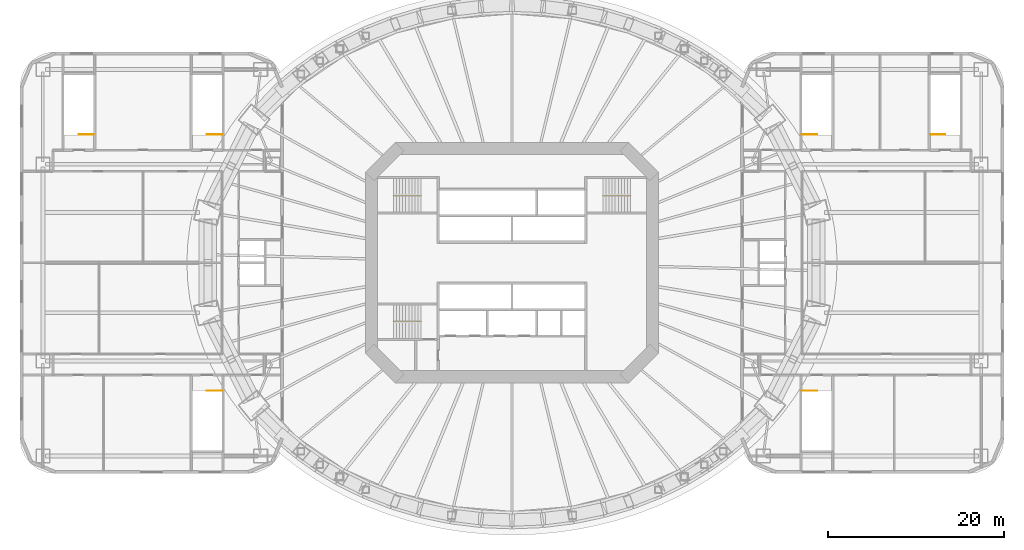
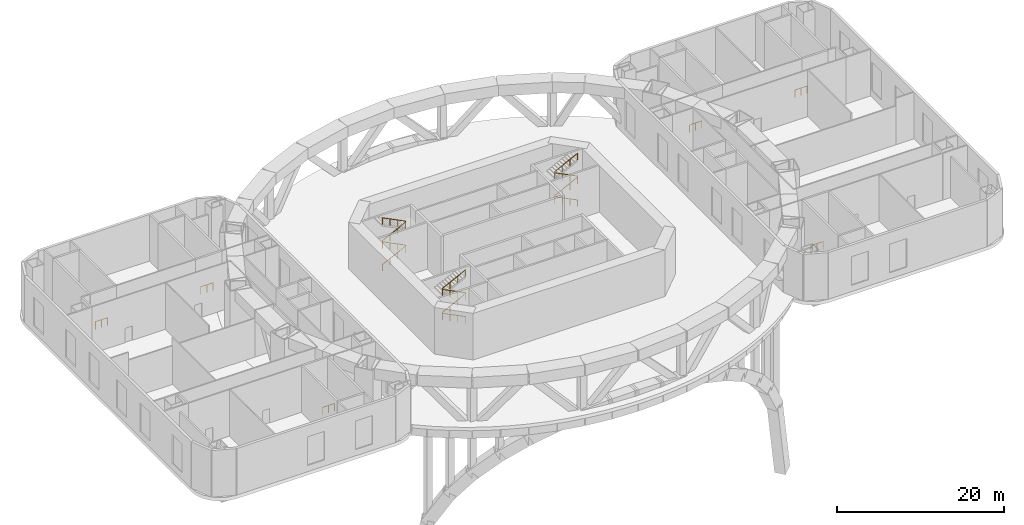
# One storey, part 13 of 13: 9 railings.
"""IFC4 building model written with IfcOpenShell, lengths in metres."""

from ifc_helpers import new_model, si_unit, direction, frame, origin, origin_2d, place, context, subcontext, project, spatial, circle, extrude, material, type_object, element, save


model = new_model("IFC4")

# Units and contexts
model_context = context("Model", 3, precision=1e-05, world=origin(), true_north=direction((0.0, 1.0)))
body_context = subcontext(model_context, "Body", "Model", "MODEL_VIEW")
ifc_project = project(units=[si_unit("LENGTHUNIT", "METRE"), si_unit("AREAUNIT", "SQUARE_METRE"), si_unit("VOLUMEUNIT", "CUBIC_METRE"), si_unit("PLANEANGLEUNIT", "RADIAN"), si_unit("MASSUNIT", "GRAM", prefix="KILO")], contexts=[model_context])

# Site, building, storey
site_placement = place(None, origin())
site = spatial("IfcSite", under=ifc_project, at=site_placement, CompositionType="ELEMENT")
building_placement = place(site_placement, origin())
building = spatial("IfcBuilding", under=site, at=building_placement, Name="Marenthal Gate Tower", CompositionType="ELEMENT")
storey_placement = place(building_placement, frame((0.0, 0.0, 26.0)))
storey = spatial("IfcBuildingStorey", under=building, at=storey_placement, Name="L03", CompositionType="ELEMENT", Elevation=26.0)

# Railings
ifc_material_1 = material(Name="Stainless steel", Category="steel")
railing_type_1 = type_object("IfcRailingType", Name="Guard 1100", PredefinedType="GUARDRAIL", material=ifc_material_1)
for number, where, name in (
    (1, (33.02490234375, 14.574951171875, 0.0), "Guard E1"),
    (2, (33.02490234375, -14.574951171875, 0.0), "Guard E2"),
    (3, (47.625, 14.574951171875, 0.0), "Guard E3"),
):
    element("IfcRailing", number, at=place(storey_placement, frame(where)), inside=storey, type_object=railing_type_1, Name=name, PredefinedType="GUARDRAIL", context=body_context, shape_type="SweptSolid", body=[
        extrude(circle(Radius=0.02392578125, at=origin_2d()), frame((0.0, 0.0, 1.076171875), z_axis=(1.0, 0.0, 0.0), x_axis=(0.0, 1.0, 0.0)), (0.0, 0.0, 1.0), 1.675048828125),
        extrude(circle(Radius=0.02099609375, at=origin_2d()), origin(), (0.0, 0.0, 1.0), 1.052001953125),
        extrude(circle(Radius=0.02099609375, at=origin_2d()), frame((0.83740234375, 0.0, 0.0)), (0.0, 0.0, 1.0), 1.052001953125),
        extrude(circle(Radius=0.02099609375, at=origin_2d()), frame((1.675048828125, 0.0, 0.0)), (0.0, 0.0, 1.0), 1.052001953125),
    ])
for number, where, name in (
    (4, (-33.02490234375, 14.574951171875, 0.0), "Guard W1"),
    (5, (-33.02490234375, -14.574951171875, 0.0), "Guard W2"),
    (6, (-47.625, 14.574951171875, 0.0), "Guard W3"),
):
    element("IfcRailing", number, at=place(storey_placement, frame(where)), inside=storey, type_object=railing_type_1, Name=name, PredefinedType="GUARDRAIL", context=body_context, shape_type="SweptSolid", body=[
        extrude(circle(Radius=0.02392578125, at=origin_2d()), frame((0.0, 0.0, 1.076171875), z_axis=(-1.0, 0.0, 0.0), x_axis=(0.0, -1.0, 0.0)), (0.0, 0.0, 1.0), 1.675048828125),
        extrude(circle(Radius=0.02099609375, at=origin_2d()), origin(), (0.0, 0.0, 1.0), 1.052001953125),
        extrude(circle(Radius=0.02099609375, at=origin_2d()), frame((-0.83740234375, 0.0, 0.0)), (0.0, 0.0, 1.0), 1.052001953125),
        extrude(circle(Radius=0.02099609375, at=origin_2d()), frame((-1.675048828125, 0.0, 0.0)), (0.0, 0.0, 1.0), 1.052001953125),
    ])
ifc_material_2 = material(Name="Stainless steel", Category="steel")
railing_type_2 = type_object("IfcRailingType", Name="Stair handrail", PredefinedType="HANDRAIL", material=ifc_material_2)
railing_1_placement = place(storey_placement, frame((-13.5, 7.675048828125, 0.175048828125)))
element("IfcRailing", 7, at=railing_1_placement, inside=storey, type_object=railing_type_2, Name="Handrail ST1", PredefinedType="HANDRAIL", context=body_context, shape_type="SweptSolid", body=[
    extrude(circle(Radius=0.0224609375, at=origin_2d()), frame((0.0, 0.0, 0.927490234375), z_axis=(0.894427191, 0.0, 0.4472135955), x_axis=(0.0, 1.0, 0.0)), (0.0, 0.0, 1.0), 3.521728515625),
    extrude(circle(Radius=0.0224609375, at=origin_2d()), frame((3.14990234375, 0.0, 2.50244140625), z_axis=(0.0, 0.0, 1.0), x_axis=(1.0, 0.0, 0.0)), (0.0, 0.0, 1.0), 0.175048828125),
    extrude(circle(Radius=0.0224609375, at=origin_2d()), frame((3.14990234375, 0.0, 2.677490234375), z_axis=(-0.894427191, 0.0, 0.4472135955), x_axis=(0.0, -1.0, 0.0)), (0.0, 0.0, 1.0), 3.521728515625),
    extrude(circle(Radius=0.0224609375, at=origin_2d()), frame((0.0, 0.0, 4.25244140625), z_axis=(0.0, 0.0, 1.0), x_axis=(1.0, 0.0, 0.0)), (0.0, 0.0, 1.0), 0.175048828125),
    extrude(circle(Radius=0.0224609375, at=origin_2d()), frame((0.0, 0.0, 4.427490234375), z_axis=(0.894427191, 0.0, 0.4472135955), x_axis=(0.0, 1.0, 0.0)), (0.0, 0.0, 1.0), 3.521728515625),
    extrude(circle(Radius=0.0224609375, at=origin_2d()), frame((3.14990234375, 0.0, 6.00244140625), z_axis=(0.0, 0.0, 1.0), x_axis=(1.0, 0.0, 0.0)), (0.0, 0.0, 1.0), 0.175048828125),
    extrude(circle(Radius=0.0224609375, at=origin_2d()), frame((3.14990234375, 0.0, 6.177490234375), z_axis=(-0.894427191, 0.0, 0.4472135955), x_axis=(0.0, -1.0, 0.0)), (0.0, 0.0, 1.0), 3.521728515625),
    extrude(circle(Radius=0.02001953125, at=origin_2d()), origin(), (0.0, 0.0, 1.0), 0.905029296875),
    extrude(circle(Radius=0.02001953125, at=origin_2d()), frame((1.050048828125, 0.0, 0.52490234375)), (0.0, 0.0, 1.0), 0.905029296875),
    extrude(circle(Radius=0.02001953125, at=origin_2d()), frame((2.099853515625, 0.0, 1.050048828125)), (0.0, 0.0, 1.0), 0.905029296875),
    extrude(circle(Radius=0.02001953125, at=origin_2d()), frame((3.14990234375, 0.0, 1.574951171875)), (0.0, 0.0, 1.0), 0.905029296875),
    extrude(circle(Radius=0.02001953125, at=origin_2d()), frame((3.14990234375, 0.0, 1.75)), (0.0, 0.0, 1.0), 0.905029296875),
    extrude(circle(Radius=0.02001953125, at=origin_2d()), frame((2.099853515625, 0.0, 2.27490234375)), (0.0, 0.0, 1.0), 0.905029296875),
    extrude(circle(Radius=0.02001953125, at=origin_2d()), frame((1.050048828125, 0.0, 2.800048828125)), (0.0, 0.0, 1.0), 0.905029296875),
    extrude(circle(Radius=0.02001953125, at=origin_2d()), frame((0.0, 0.0, 3.324951171875)), (0.0, 0.0, 1.0), 0.905029296875),
    extrude(circle(Radius=0.02001953125, at=origin_2d()), frame((0.0, 0.0, 3.5)), (0.0, 0.0, 1.0), 0.905029296875),
    extrude(circle(Radius=0.02001953125, at=origin_2d()), frame((1.050048828125, 0.0, 4.02490234375)), (0.0, 0.0, 1.0), 0.905029296875),
    extrude(circle(Radius=0.02001953125, at=origin_2d()), frame((2.099853515625, 0.0, 4.550048828125)), (0.0, 0.0, 1.0), 0.905029296875),
    extrude(circle(Radius=0.02001953125, at=origin_2d()), frame((3.14990234375, 0.0, 5.074951171875)), (0.0, 0.0, 1.0), 0.905029296875),
    extrude(circle(Radius=0.02001953125, at=origin_2d()), frame((3.14990234375, 0.0, 5.25)), (0.0, 0.0, 1.0), 0.905029296875),
    extrude(circle(Radius=0.02001953125, at=origin_2d()), frame((2.099853515625, 0.0, 5.77490234375)), (0.0, 0.0, 1.0), 0.905029296875),
    extrude(circle(Radius=0.02001953125, at=origin_2d()), frame((1.050048828125, 0.0, 6.300048828125)), (0.0, 0.0, 1.0), 0.905029296875),
    extrude(circle(Radius=0.02001953125, at=origin_2d()), frame((0.0, 0.0, 6.824951171875)), (0.0, 0.0, 1.0), 0.905029296875),
])
railing_2_placement = place(storey_placement, frame((-10.35009765625, -6.72509765625, 0.175048828125)))
element("IfcRailing", 8, at=railing_2_placement, inside=storey, type_object=railing_type_2, Name="Handrail ST2", PredefinedType="HANDRAIL", context=body_context, shape_type="SweptSolid", body=[
    extrude(circle(Radius=0.0224609375, at=origin_2d()), frame((0.0, 0.0, 0.927490234375), z_axis=(-0.894427191, 0.0, 0.4472135955), x_axis=(0.0, -1.0, 0.0)), (0.0, 0.0, 1.0), 3.521728515625),
    extrude(circle(Radius=0.0224609375, at=origin_2d()), frame((-3.14990234375, 0.0, 2.50244140625), z_axis=(0.0, 0.0, 1.0), x_axis=(1.0, 0.0, 0.0)), (0.0, 0.0, 1.0), 0.175048828125),
    extrude(circle(Radius=0.0224609375, at=origin_2d()), frame((-3.14990234375, 0.0, 2.677490234375), z_axis=(0.894427191, 0.0, 0.4472135955), x_axis=(0.0, 1.0, 0.0)), (0.0, 0.0, 1.0), 3.521728515625),
    extrude(circle(Radius=0.0224609375, at=origin_2d()), frame((0.0, 0.0, 4.25244140625), z_axis=(0.0, 0.0, 1.0), x_axis=(1.0, 0.0, 0.0)), (0.0, 0.0, 1.0), 0.175048828125),
    extrude(circle(Radius=0.0224609375, at=origin_2d()), frame((0.0, 0.0, 4.427490234375), z_axis=(-0.894427191, 0.0, 0.4472135955), x_axis=(0.0, -1.0, 0.0)), (0.0, 0.0, 1.0), 3.521728515625),
    extrude(circle(Radius=0.0224609375, at=origin_2d()), frame((-3.14990234375, 0.0, 6.00244140625), z_axis=(0.0, 0.0, 1.0), x_axis=(1.0, 0.0, 0.0)), (0.0, 0.0, 1.0), 0.175048828125),
    extrude(circle(Radius=0.0224609375, at=origin_2d()), frame((-3.14990234375, 0.0, 6.177490234375), z_axis=(0.894427191, 0.0, 0.4472135955), x_axis=(0.0, 1.0, 0.0)), (0.0, 0.0, 1.0), 3.521728515625),
    extrude(circle(Radius=0.02001953125, at=origin_2d()), origin(), (0.0, 0.0, 1.0), 0.905029296875),
    extrude(circle(Radius=0.02001953125, at=origin_2d()), frame((-1.050048828125, 0.0, 0.52490234375)), (0.0, 0.0, 1.0), 0.905029296875),
    extrude(circle(Radius=0.02001953125, at=origin_2d()), frame((-2.099853515625, 0.0, 1.050048828125)), (0.0, 0.0, 1.0), 0.905029296875),
    extrude(circle(Radius=0.02001953125, at=origin_2d()), frame((-3.14990234375, 0.0, 1.574951171875)), (0.0, 0.0, 1.0), 0.905029296875),
    extrude(circle(Radius=0.02001953125, at=origin_2d()), frame((-3.14990234375, 0.0, 1.75)), (0.0, 0.0, 1.0), 0.905029296875),
    extrude(circle(Radius=0.02001953125, at=origin_2d()), frame((-2.099853515625, 0.0, 2.27490234375)), (0.0, 0.0, 1.0), 0.905029296875),
    extrude(circle(Radius=0.02001953125, at=origin_2d()), frame((-1.050048828125, 0.0, 2.800048828125)), (0.0, 0.0, 1.0), 0.905029296875),
    extrude(circle(Radius=0.02001953125, at=origin_2d()), frame((0.0, 0.0, 3.324951171875)), (0.0, 0.0, 1.0), 0.905029296875),
    extrude(circle(Radius=0.02001953125, at=origin_2d()), frame((0.0, 0.0, 3.5)), (0.0, 0.0, 1.0), 0.905029296875),
    extrude(circle(Radius=0.02001953125, at=origin_2d()), frame((-1.050048828125, 0.0, 4.02490234375)), (0.0, 0.0, 1.0), 0.905029296875),
    extrude(circle(Radius=0.02001953125, at=origin_2d()), frame((-2.099853515625, 0.0, 4.550048828125)), (0.0, 0.0, 1.0), 0.905029296875),
    extrude(circle(Radius=0.02001953125, at=origin_2d()), frame((-3.14990234375, 0.0, 5.074951171875)), (0.0, 0.0, 1.0), 0.905029296875),
    extrude(circle(Radius=0.02001953125, at=origin_2d()), frame((-3.14990234375, 0.0, 5.25)), (0.0, 0.0, 1.0), 0.905029296875),
    extrude(circle(Radius=0.02001953125, at=origin_2d()), frame((-2.099853515625, 0.0, 5.77490234375)), (0.0, 0.0, 1.0), 0.905029296875),
    extrude(circle(Radius=0.02001953125, at=origin_2d()), frame((-1.050048828125, 0.0, 6.300048828125)), (0.0, 0.0, 1.0), 0.905029296875),
    extrude(circle(Radius=0.02001953125, at=origin_2d()), frame((0.0, 0.0, 6.824951171875)), (0.0, 0.0, 1.0), 0.905029296875),
])
railing_3_placement = place(storey_placement, frame((13.5, 7.675048828125, 0.175048828125)))
element("IfcRailing", 9, at=railing_3_placement, inside=storey, type_object=railing_type_2, Name="Handrail ST3", PredefinedType="HANDRAIL", context=body_context, shape_type="SweptSolid", body=[
    extrude(circle(Radius=0.0224609375, at=origin_2d()), frame((0.0, 0.0, 0.927490234375), z_axis=(-0.894427191, 0.0, 0.4472135955), x_axis=(0.0, -1.0, 0.0)), (0.0, 0.0, 1.0), 3.521728515625),
    extrude(circle(Radius=0.0224609375, at=origin_2d()), frame((-3.14990234375, 0.0, 2.50244140625), z_axis=(0.0, 0.0, 1.0), x_axis=(1.0, 0.0, 0.0)), (0.0, 0.0, 1.0), 0.175048828125),
    extrude(circle(Radius=0.0224609375, at=origin_2d()), frame((-3.14990234375, 0.0, 2.677490234375), z_axis=(0.894427191, 0.0, 0.4472135955), x_axis=(0.0, 1.0, 0.0)), (0.0, 0.0, 1.0), 3.521728515625),
    extrude(circle(Radius=0.0224609375, at=origin_2d()), frame((0.0, 0.0, 4.25244140625), z_axis=(0.0, 0.0, 1.0), x_axis=(1.0, 0.0, 0.0)), (0.0, 0.0, 1.0), 0.175048828125),
    extrude(circle(Radius=0.0224609375, at=origin_2d()), frame((0.0, 0.0, 4.427490234375), z_axis=(-0.894427191, 0.0, 0.4472135955), x_axis=(0.0, -1.0, 0.0)), (0.0, 0.0, 1.0), 3.521728515625),
    extrude(circle(Radius=0.0224609375, at=origin_2d()), frame((-3.14990234375, 0.0, 6.00244140625), z_axis=(0.0, 0.0, 1.0), x_axis=(1.0, 0.0, 0.0)), (0.0, 0.0, 1.0), 0.175048828125),
    extrude(circle(Radius=0.0224609375, at=origin_2d()), frame((-3.14990234375, 0.0, 6.177490234375), z_axis=(0.894427191, 0.0, 0.4472135955), x_axis=(0.0, 1.0, 0.0)), (0.0, 0.0, 1.0), 3.521728515625),
    extrude(circle(Radius=0.02001953125, at=origin_2d()), origin(), (0.0, 0.0, 1.0), 0.905029296875),
    extrude(circle(Radius=0.02001953125, at=origin_2d()), frame((-1.050048828125, 0.0, 0.52490234375)), (0.0, 0.0, 1.0), 0.905029296875),
    extrude(circle(Radius=0.02001953125, at=origin_2d()), frame((-2.099853515625, 0.0, 1.050048828125)), (0.0, 0.0, 1.0), 0.905029296875),
    extrude(circle(Radius=0.02001953125, at=origin_2d()), frame((-3.14990234375, 0.0, 1.574951171875)), (0.0, 0.0, 1.0), 0.905029296875),
    extrude(circle(Radius=0.02001953125, at=origin_2d()), frame((-3.14990234375, 0.0, 1.75)), (0.0, 0.0, 1.0), 0.905029296875),
    extrude(circle(Radius=0.02001953125, at=origin_2d()), frame((-2.099853515625, 0.0, 2.27490234375)), (0.0, 0.0, 1.0), 0.905029296875),
    extrude(circle(Radius=0.02001953125, at=origin_2d()), frame((-1.050048828125, 0.0, 2.800048828125)), (0.0, 0.0, 1.0), 0.905029296875),
    extrude(circle(Radius=0.02001953125, at=origin_2d()), frame((0.0, 0.0, 3.324951171875)), (0.0, 0.0, 1.0), 0.905029296875),
    extrude(circle(Radius=0.02001953125, at=origin_2d()), frame((0.0, 0.0, 3.5)), (0.0, 0.0, 1.0), 0.905029296875),
    extrude(circle(Radius=0.02001953125, at=origin_2d()), frame((-1.050048828125, 0.0, 4.02490234375)), (0.0, 0.0, 1.0), 0.905029296875),
    extrude(circle(Radius=0.02001953125, at=origin_2d()), frame((-2.099853515625, 0.0, 4.550048828125)), (0.0, 0.0, 1.0), 0.905029296875),
    extrude(circle(Radius=0.02001953125, at=origin_2d()), frame((-3.14990234375, 0.0, 5.074951171875)), (0.0, 0.0, 1.0), 0.905029296875),
    extrude(circle(Radius=0.02001953125, at=origin_2d()), frame((-3.14990234375, 0.0, 5.25)), (0.0, 0.0, 1.0), 0.905029296875),
    extrude(circle(Radius=0.02001953125, at=origin_2d()), frame((-2.099853515625, 0.0, 5.77490234375)), (0.0, 0.0, 1.0), 0.905029296875),
    extrude(circle(Radius=0.02001953125, at=origin_2d()), frame((-1.050048828125, 0.0, 6.300048828125)), (0.0, 0.0, 1.0), 0.905029296875),
    extrude(circle(Radius=0.02001953125, at=origin_2d()), frame((0.0, 0.0, 6.824951171875)), (0.0, 0.0, 1.0), 0.905029296875),
])

save(model, "model.ifc")
